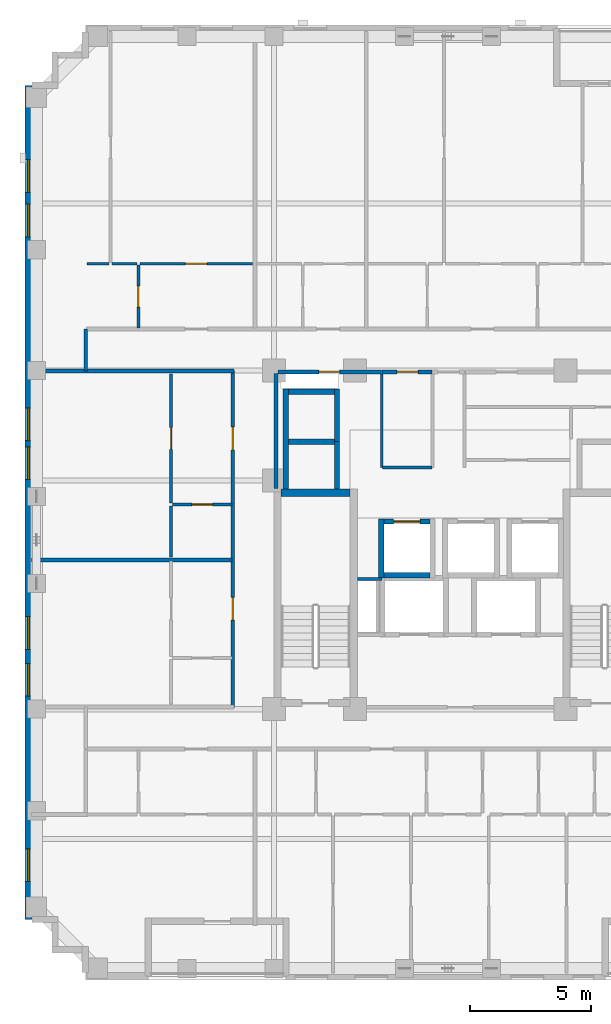
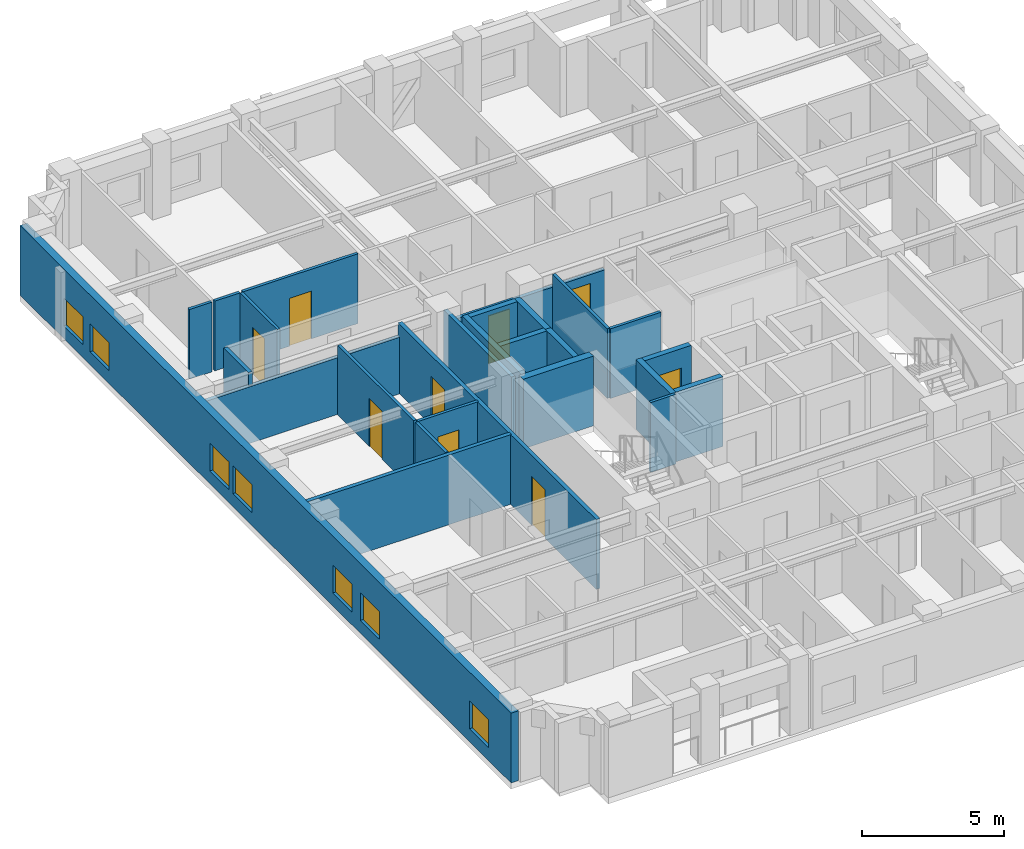
# One storey, part 5 of 11: 27 walls, 9 doors, 7 windows, 16 openings.
"""IFC4 building model written with IfcOpenShell, lengths in metres."""

import ifcopenshell
import ifcopenshell.guid

model = None  # the IFC model being written
_history = None  # IfcOwnerHistory: only IFC2X3 demands one
_inside = {}  # id of a spatial element -> (the spatial element, [elements in it])
_under = {}  # id of a project, library or spatial element -> (it, [spatial elements below it])
_declared = {}  # id of a project -> (the project, [libraries it declares])
_typed = {}  # id of a type object -> (the type object, [elements of that type])
_made_of = {}  # id of a material, layer set ... -> (it, [elements and type objects made of it])


def new_model(schema):
    """Start an empty IFC model of exactly this schema.

    Asked for "IFC4X3", IfcOpenShell would pick the latest addendum, in which some entities
    have other attributes; the version numbers below select the first issue.
    IFC2X3 requires an IfcOwnerHistory on every rooted entity: one is made here for all.
    """
    global model, _history
    if schema == "IFC4X3":
        model = ifcopenshell.file(schema_version=(4, 3, 0, 0))
    else:
        model = ifcopenshell.file(schema=schema)
    _inside.clear()
    _under.clear()
    _declared.clear()
    _typed.clear()
    _made_of.clear()
    _history = None
    if model.schema == "IFC2X3":
        org = make("IfcOrganization", Name="unknown")
        user = make(
            "IfcPersonAndOrganization",
            ThePerson=make("IfcPerson", FamilyName="unknown"),
            TheOrganization=org,
        )
        app = make(
            "IfcApplication",
            ApplicationDeveloper=org,
            Version="unknown",
            ApplicationFullName="unknown",
            ApplicationIdentifier="unknown",
        )
        _history = make(
            "IfcOwnerHistory",
            OwningUser=user,
            OwningApplication=app,
            ChangeAction="ADDED",
            CreationDate=0,
        )
    return model


def make(cls, **values):
    """One entity of the class cls with the attributes given. An attribute that is None is left unset."""
    return model.create_entity(
        cls, **{name: value for name, value in values.items() if value is not None}
    )


def rooted(cls, **values):
    """An entity with a GlobalId (a new one), such as an element, a storey or a relation."""
    return make(cls, GlobalId=ifcopenshell.guid.new(), OwnerHistory=_history, **values)


def si_unit(unit_type, name, prefix=None):
    """IfcSIUnit, for example si_unit("LENGTHUNIT", "METRE", prefix="MILLI")."""
    return make("IfcSIUnit", UnitType=unit_type, Prefix=prefix, Name=name)


def derived_unit(unit_type, elements):
    """IfcDerivedUnit: a product of units, each with its exponent."""
    return make(
        "IfcDerivedUnit",
        Elements=[
            make("IfcDerivedUnitElement", Unit=unit, Exponent=power)
            for unit, power in elements
        ],
        UnitType=unit_type,
    )


def assignment(units):
    """IfcUnitAssignment: the units of a project."""
    return None if units is None else make("IfcUnitAssignment", Units=units)


def point(xyz):
    """IfcCartesianPoint."""
    return None if xyz is None else make("IfcCartesianPoint", Coordinates=xyz)


def direction(xyz):
    """IfcDirection."""
    return None if xyz is None else make("IfcDirection", DirectionRatios=xyz)


def frame(location, z_axis=None, x_axis=None):
    """IfcAxis2Placement3D, a coordinate frame: its origin and axes. An axis left out is left unset."""
    return make(
        "IfcAxis2Placement3D",
        Location=point(location),
        Axis=direction(z_axis),
        RefDirection=direction(x_axis),
    )


def frame_2d(location, x_axis=None):
    """IfcAxis2Placement2D, a coordinate frame in the plane: its origin and x axis."""
    return make(
        "IfcAxis2Placement2D", Location=point(location), RefDirection=direction(x_axis)
    )


def origin():
    """The frame at (0, 0, 0) with its axes left unset."""
    return frame((0.0, 0.0, 0.0))


def place(relative_to, where):
    """IfcLocalPlacement: puts the frame where relative to a parent placement (None: the world)."""
    return make(
        "IfcLocalPlacement", PlacementRelTo=relative_to, RelativePlacement=where
    )


def context(
    kind, dimensions, precision=None, world=None, true_north=None, identifier=None
):
    """IfcGeometricRepresentationContext, for example the 3D "Model" context."""
    return make(
        "IfcGeometricRepresentationContext",
        ContextIdentifier=identifier,
        ContextType=kind,
        CoordinateSpaceDimension=dimensions,
        Precision=precision,
        WorldCoordinateSystem=world,
        TrueNorth=true_north,
    )


def subcontext(parent, identifier, kind, view, scale=None):
    """IfcGeometricRepresentationSubContext, for example "Body" below "Model"."""
    return make(
        "IfcGeometricRepresentationSubContext",
        ContextIdentifier=identifier,
        ContextType=kind,
        ParentContext=parent,
        TargetScale=scale,
        TargetView=view,
    )


def project(units=None, contexts=None):
    """IfcProject with its units and contexts."""
    return rooted(
        "IfcProject",
        Name="project",
        RepresentationContexts=contexts,
        UnitsInContext=assignment(units),
    )


def spatial(cls, under=None, at=None, **own):
    """A site, building, storey or space (cls), placed at a placement, below another one or the project."""
    s = rooted(cls, ObjectPlacement=at, **own)
    if under is not None:
        _under.setdefault(under.id(), (under, []))[1].append(s)
    return s


def profile(cls, at=None, kind="AREA", **sizes):
    """A parametric profile (cls). Its sizes go by their IFC names, for example OverallWidth=200.0."""
    return make(cls, ProfileType=kind, Position=at, **sizes)


def rectangle(**sizes):
    """IfcRectangleProfileDef."""
    return profile("IfcRectangleProfileDef", **sizes)


def extrude(swept, where, along, depth):
    """IfcExtrudedAreaSolid: the profile swept, set in the frame where, extruded along a direction by depth."""
    return make(
        "IfcExtrudedAreaSolid",
        SweptArea=swept,
        Position=where,
        ExtrudedDirection=direction(along),
        Depth=depth,
    )


def shape(context_of_items, identifier, shape_type, items):
    """IfcShapeRepresentation: the items that make up one representation, for example the "Body"."""
    return make(
        "IfcShapeRepresentation",
        ContextOfItems=context_of_items,
        RepresentationIdentifier=identifier,
        RepresentationType=shape_type,
        Items=items,
    )


def material(Name=None, Category=None):
    """IfcMaterial."""
    return make("IfcMaterial", Name=Name, Category=Category)


def layer(
    of_material, thickness, ventilated=None, Name=None, Category=None, Priority=None
):
    """IfcMaterialLayer: one layer of a wall or slab, of a material (None: an air gap)."""
    return make(
        "IfcMaterialLayer",
        Material=of_material,
        LayerThickness=thickness,
        IsVentilated=ventilated,
        Name=Name,
        Category=Category,
        Priority=Priority,
    )


def layer_set(layers, Name=None):
    """IfcMaterialLayerSet."""
    return make("IfcMaterialLayerSet", MaterialLayers=layers, LayerSetName=Name)


def made_of(thing, what):
    """Note that an element or type object is made of a material, layer set ...; save() writes the relation."""
    if what is not None:
        _made_of.setdefault(what.id(), (what, []))[1].append(thing)
    return thing


def type_object(cls, material=None, **own):
    """A type object (cls), such as IfcWallType, which elements share."""
    return made_of(rooted(cls, **own), material)


def element(
    cls,
    number,
    at=None,
    inside=None,
    cuts=None,
    type_object=None,
    material=None,
    context=None,
    identifier="Body",
    shape_type=None,
    held_by="IfcProductDefinitionShape",
    body=None,
    shapes=None,
    **own,
):
    """One element of the class cls, such as IfcWall. Its Tag is "e" and its number.

    at: its placement. inside: the storey or other place that contains it. cuts: it is an
    opening in that element (IfcRelVoidsElement). A single representation is given by context,
    identifier, shape_type and body (its items); several are given by shapes. held_by: the class
    of the entity that holds the representations. save() writes the other relations.
    """
    e = rooted(cls, Tag="e%d" % number, ObjectPlacement=at, **own)
    if body is not None:
        shapes = [shape(context, identifier, shape_type, body)]
    if shapes is not None:
        e.Representation = make(held_by, Representations=shapes)
    if inside is not None:
        _inside.setdefault(inside.id(), (inside, []))[1].append(e)
    if cuts is not None:
        rooted(
            "IfcRelVoidsElement", RelatingBuildingElement=cuts, RelatedOpeningElement=e
        )
    if type_object is not None:
        _typed.setdefault(type_object.id(), (type_object, []))[1].append(e)
    return made_of(e, material)


def fill(opening, filler):
    """IfcRelFillsElement: the door or window that sits in an opening."""
    return rooted(
        "IfcRelFillsElement",
        RelatingOpeningElement=opening,
        RelatedBuildingElement=filler,
    )


def aggregate(whole, parts):
    """IfcRelAggregates: a whole, such as a stair, and the parts it consists of."""
    return rooted("IfcRelAggregates", RelatingObject=whole, RelatedObjects=parts)


def save(model, path):
    """Write the relations noted so far, then the file.

    IfcRelAggregates (storeys below a building ...), IfcRelContainedInSpatialStructure (elements
    in a storey), IfcRelDefinesByType, IfcRelAssociatesMaterial and IfcRelDeclares: one each for
    every whole, place, type object, material and project.
    """
    for whole, parts in _under.values():
        aggregate(whole, parts)
    for where, things in _inside.values():
        rooted(
            "IfcRelContainedInSpatialStructure",
            RelatedElements=things,
            RelatingStructure=where,
        )
    for kind, things in _typed.values():
        rooted("IfcRelDefinesByType", RelatedObjects=things, RelatingType=kind)
    for what, things in _made_of.values():
        rooted("IfcRelAssociatesMaterial", RelatedObjects=things, RelatingMaterial=what)
    for by, libraries in _declared.values():
        rooted("IfcRelDeclares", RelatingContext=by, RelatedDefinitions=libraries)
    model.write(path)


model = new_model("IFC4")

# Units and contexts
model_context = context("Model", 3, precision=1e-05, world=origin(), true_north=direction((0.0, 1.0)))
body_context = subcontext(model_context, "Body", "Model", "MODEL_VIEW")
ifc_project = project(units=[si_unit("LENGTHUNIT", "METRE"), si_unit("AREAUNIT", "SQUARE_METRE"), si_unit("VOLUMEUNIT", "CUBIC_METRE"), si_unit("PLANEANGLEUNIT", "RADIAN"), si_unit("MASSUNIT", "GRAM", prefix="KILO"), derived_unit("THERMALTRANSMITTANCEUNIT", [(si_unit("MASSUNIT", "GRAM", prefix="KILO"), 1), (si_unit("TIMEUNIT", "SECOND"), -3), (si_unit("THERMODYNAMICTEMPERATUREUNIT", "KELVIN"), -1)])], contexts=[model_context])

# Site, building, storey
site_placement = place(None, origin())
site = spatial("IfcSite", under=ifc_project, at=site_placement, CompositionType="ELEMENT")
building_placement = place(site_placement, origin())
building = spatial("IfcBuilding", under=site, at=building_placement, Name="Korrvale Station Residences", CompositionType="ELEMENT")
storey_placement = place(building_placement, frame((0.0, 0.0, 140.64990234375)))
storey = spatial("IfcBuildingStorey", under=building, at=storey_placement, Name="L40", CompositionType="ELEMENT", Elevation=140.64990234375)

# Wall
ifc_material_1 = material(Name="Concrete C60/75", Category="concrete")
ifc_layer_1 = layer(ifc_material_1, 0.300048828125, Name="Concrete C60/75")
ifc_layer_set_1 = layer_set([ifc_layer_1], Name="Concrete C60/75")
wall_type_1 = type_object("IfcWallType", Name="WAL-CORE-300-C60", PredefinedType="SHEAR", material=ifc_layer_set_1)
wall_1_placement = place(storey_placement, frame((18.10009765625, 23.949951171875, 0.0), z_axis=(0.0, 0.0, 1.0), x_axis=(1.0, 0.0, 0.0)))
element("IfcWall", 1, at=wall_1_placement, inside=storey, type_object=wall_type_1, Name="L40 ST-1 Core Shear Wall North", PredefinedType="SHEAR", context=body_context, shape_type="SweptSolid", body=[
    extrude(rectangle(XDim=2.849853515625, YDim=0.300048828125, at=frame_2d((1.4248046875, 0.0))), origin(), (0.0, 0.0, 1.0), 2.989990234375),
])

# Wall, openings, windows
ifc_material_2 = material(Name="Precast concrete C45/55", Category="concrete")
ifc_layer_2 = layer(ifc_material_2, 0.300048828125, Name="Precast concrete C45/55")
ifc_layer_set_2 = layer_set([ifc_layer_2], Name="Precast concrete C45/55")
wall_type_2 = type_object("IfcWallType", Name="WAL-EXT-PC300", PredefinedType="SOLIDWALL", material=ifc_layer_set_2)
wall_2_placement = place(storey_placement, frame((7.64990234375, 6.300048828125, 0.0), z_axis=(0.0, 0.0, 1.0), x_axis=(0.0, 1.0, 0.0)))
wall_2 = element("IfcWall", 2, at=wall_2_placement, inside=storey, type_object=wall_type_2, Name="L40 West Exterior Precast Wall 1", PredefinedType="SOLIDWALL", context=body_context, shape_type="SweptSolid", body=[
    extrude(rectangle(XDim=34.5, YDim=0.300048828125, at=frame_2d((17.25, 0.0))), origin(), (0.0, 0.0, 1.0), 2.989990234375),
])
opening_1_placement = place(wall_2_placement, frame((1.574951171875, 0.0, 0.550048828125)))
opening_1 = element("IfcOpeningElement", 3, at=opening_1_placement, cuts=wall_2, Name="Opening W-10", PredefinedType="OPENING", context=body_context, shape_type="SweptSolid", body=[
    extrude(rectangle(XDim=1.35009765625, YDim=1.199951171875, at=frame_2d((0.675048828125, 0.60009765625))), frame((0.0, 0.16015625, 0.0), z_axis=(0.0, -1.0, 0.0), x_axis=(1.0, 0.0, 0.0)), (0.0, 0.0, 1.0), 0.320068359375),
])
opening_2_placement = place(wall_2_placement, frame((30.074951171875, 0.0, 0.550048828125)))
opening_2 = element("IfcOpeningElement", 4, at=opening_2_placement, cuts=wall_2, Name="Opening W-10", PredefinedType="OPENING", context=body_context, shape_type="SweptSolid", body=[
    extrude(rectangle(XDim=1.35009765625, YDim=1.199951171875, at=frame_2d((0.675048828125, 0.60009765625))), frame((0.0, 0.16015625, 0.0), z_axis=(0.0, -1.0, 0.0), x_axis=(1.0, 0.0, 0.0)), (0.0, 0.0, 1.0), 0.320068359375),
])
opening_3_placement = place(wall_2_placement, frame((28.235107421875, 0.0, 0.550048828125)))
opening_3 = element("IfcOpeningElement", 5, at=opening_3_placement, cuts=wall_2, Name="Opening W-10", PredefinedType="OPENING", context=body_context, shape_type="SweptSolid", body=[
    extrude(rectangle(XDim=1.35009765625, YDim=1.199951171875, at=frame_2d((0.675048828125, 0.60009765625))), frame((0.0, 0.16015625, 0.0), z_axis=(0.0, -1.0, 0.0), x_axis=(1.0, 0.0, 0.0)), (0.0, 0.0, 1.0), 0.320068359375),
])
opening_4_placement = place(wall_2_placement, frame((11.175048828125, 0.0, 0.550048828125)))
opening_4 = element("IfcOpeningElement", 6, at=opening_4_placement, cuts=wall_2, Name="Opening W-10", PredefinedType="OPENING", context=body_context, shape_type="SweptSolid", body=[
    extrude(rectangle(XDim=1.35009765625, YDim=1.199951171875, at=frame_2d((0.675048828125, 0.60009765625))), frame((0.0, 0.16015625, 0.0), z_axis=(0.0, -1.0, 0.0), x_axis=(1.0, 0.0, 0.0)), (0.0, 0.0, 1.0), 0.320068359375),
])
opening_5_placement = place(wall_2_placement, frame((9.235107421875, 0.0, 0.550048828125)))
opening_5 = element("IfcOpeningElement", 7, at=opening_5_placement, cuts=wall_2, Name="Opening W-10", PredefinedType="OPENING", context=body_context, shape_type="SweptSolid", body=[
    extrude(rectangle(XDim=1.35009765625, YDim=1.199951171875, at=frame_2d((0.675048828125, 0.60009765625))), frame((0.0, 0.16015625, 0.0), z_axis=(0.0, -1.0, 0.0), x_axis=(1.0, 0.0, 0.0)), (0.0, 0.0, 1.0), 0.320068359375),
])
opening_6_placement = place(wall_2_placement, frame((18.199951171875, 0.0, 0.550048828125)))
opening_6 = element("IfcOpeningElement", 8, at=opening_6_placement, cuts=wall_2, Name="Opening W-10", PredefinedType="OPENING", context=body_context, shape_type="SweptSolid", body=[
    extrude(rectangle(XDim=1.35009765625, YDim=1.199951171875, at=frame_2d((0.675048828125, 0.60009765625))), frame((0.0, 0.16015625, 0.0), z_axis=(0.0, -1.0, 0.0), x_axis=(1.0, 0.0, 0.0)), (0.0, 0.0, 1.0), 0.320068359375),
])
opening_7_placement = place(wall_2_placement, frame((19.81005859375, 0.0, 0.550048828125)))
opening_7 = element("IfcOpeningElement", 9, at=opening_7_placement, cuts=wall_2, Name="Opening W-10", PredefinedType="OPENING", context=body_context, shape_type="SweptSolid", body=[
    extrude(rectangle(XDim=1.35009765625, YDim=1.199951171875, at=frame_2d((0.675048828125, 0.60009765625))), frame((0.0, 0.16015625, 0.0), z_axis=(0.0, -1.0, 0.0), x_axis=(1.0, 0.0, 0.0)), (0.0, 0.0, 1.0), 0.320068359375),
])
ifc_material_3 = material(Name="Thermally broken aluminium frame with triple low-e glazing", Category="aluminium")
window_type = type_object("IfcWindowType", Name="WIN-W10", PartitioningType="SINGLE_PANEL", PredefinedType="WINDOW", material=ifc_material_3)
window_1_placement = place(opening_1_placement, origin())
window_1 = element("IfcWindow", 10, at=window_1_placement, inside=storey, type_object=window_type, Name="L40 Punched Window 01", OverallHeight=1.199951171875, OverallWidth=1.35009765625, PartitioningType="SINGLE_PANEL", PredefinedType="WINDOW", context=body_context, shape_type="SweptSolid", body=[
    extrude(rectangle(XDim=1.35009765625, YDim=1.199951171875, at=frame_2d((0.675048828125, 0.60009765625))), frame((0.0, 0.030029296875, 0.0), z_axis=(0.0, -1.0, 0.0), x_axis=(1.0, 0.0, 0.0)), (0.0, 0.0, 1.0), 0.06005859375),
])
fill(opening_1, window_1)
window_2_placement = place(opening_2_placement, origin())
window_2 = element("IfcWindow", 11, at=window_2_placement, inside=storey, type_object=window_type, Name="L40 Punched Window 07", OverallHeight=1.199951171875, OverallWidth=1.35009765625, PartitioningType="SINGLE_PANEL", PredefinedType="WINDOW", context=body_context, shape_type="SweptSolid", body=[
    extrude(rectangle(XDim=1.35009765625, YDim=1.199951171875, at=frame_2d((0.675048828125, 0.60009765625))), frame((0.0, 0.030029296875, 0.0), z_axis=(0.0, -1.0, 0.0), x_axis=(1.0, 0.0, 0.0)), (0.0, 0.0, 1.0), 0.06005859375),
])
fill(opening_2, window_2)
window_3_placement = place(opening_3_placement, origin())
window_3 = element("IfcWindow", 12, at=window_3_placement, inside=storey, type_object=window_type, Name="L40 Punched Window 08", OverallHeight=1.199951171875, OverallWidth=1.35009765625, PartitioningType="SINGLE_PANEL", PredefinedType="WINDOW", context=body_context, shape_type="SweptSolid", body=[
    extrude(rectangle(XDim=1.35009765625, YDim=1.199951171875, at=frame_2d((0.675048828125, 0.60009765625))), frame((0.0, 0.030029296875, 0.0), z_axis=(0.0, -1.0, 0.0), x_axis=(1.0, 0.0, 0.0)), (0.0, 0.0, 1.0), 0.06005859375),
])
fill(opening_3, window_3)
window_4_placement = place(opening_4_placement, origin())
window_4 = element("IfcWindow", 13, at=window_4_placement, inside=storey, type_object=window_type, Name="L40 Punched Window 16", OverallHeight=1.199951171875, OverallWidth=1.35009765625, PartitioningType="SINGLE_PANEL", PredefinedType="WINDOW", context=body_context, shape_type="SweptSolid", body=[
    extrude(rectangle(XDim=1.35009765625, YDim=1.199951171875, at=frame_2d((0.675048828125, 0.60009765625))), frame((0.0, 0.030029296875, 0.0), z_axis=(0.0, -1.0, 0.0), x_axis=(1.0, 0.0, 0.0)), (0.0, 0.0, 1.0), 0.06005859375),
])
fill(opening_4, window_4)
window_5_placement = place(opening_5_placement, origin())
window_5 = element("IfcWindow", 14, at=window_5_placement, inside=storey, type_object=window_type, Name="L40 Punched Window 17", OverallHeight=1.199951171875, OverallWidth=1.35009765625, PartitioningType="SINGLE_PANEL", PredefinedType="WINDOW", context=body_context, shape_type="SweptSolid", body=[
    extrude(rectangle(XDim=1.35009765625, YDim=1.199951171875, at=frame_2d((0.675048828125, 0.60009765625))), frame((0.0, 0.030029296875, 0.0), z_axis=(0.0, -1.0, 0.0), x_axis=(1.0, 0.0, 0.0)), (0.0, 0.0, 1.0), 0.06005859375),
])
fill(opening_5, window_5)
window_6_placement = place(opening_6_placement, origin())
window_6 = element("IfcWindow", 15, at=window_6_placement, inside=storey, type_object=window_type, Name="L40 Punched Window 18", OverallHeight=1.199951171875, OverallWidth=1.35009765625, PartitioningType="SINGLE_PANEL", PredefinedType="WINDOW", context=body_context, shape_type="SweptSolid", body=[
    extrude(rectangle(XDim=1.35009765625, YDim=1.199951171875, at=frame_2d((0.675048828125, 0.60009765625))), frame((0.0, 0.030029296875, 0.0), z_axis=(0.0, -1.0, 0.0), x_axis=(1.0, 0.0, 0.0)), (0.0, 0.0, 1.0), 0.06005859375),
])
fill(opening_6, window_6)
window_7_placement = place(opening_7_placement, origin())
window_7 = element("IfcWindow", 16, at=window_7_placement, inside=storey, type_object=window_type, Name="L40 Punched Window 19", OverallHeight=1.199951171875, OverallWidth=1.35009765625, PartitioningType="SINGLE_PANEL", PredefinedType="WINDOW", context=body_context, shape_type="SweptSolid", body=[
    extrude(rectangle(XDim=1.35009765625, YDim=1.199951171875, at=frame_2d((0.675048828125, 0.60009765625))), frame((0.0, 0.030029296875, 0.0), z_axis=(0.0, -1.0, 0.0), x_axis=(1.0, 0.0, 0.0)), (0.0, 0.0, 1.0), 0.06005859375),
])
fill(opening_7, window_7)

# Walls
ifc_material_4 = material(Name="Acoustic steel-stud gypsum board partition", Category="steel")
ifc_layer_3 = layer(ifc_material_4, 0.1201171875, Name="Acoustic steel-stud gypsum board partition")
ifc_layer_set_3 = layer_set([ifc_layer_3], Name="Acoustic steel-stud gypsum board partition")
wall_type_3 = type_object("IfcWallType", Name="WAL-PART-125", PredefinedType="PARTITIONING", material=ifc_layer_set_3)
wall_3_placement = place(storey_placement, frame((22.280029296875, 20.3798828125, 0.0), z_axis=(0.0, 0.0, 1.0), x_axis=(-1.0, 0.0, 0.0)))
element("IfcWall", 17, at=wall_3_placement, inside=storey, type_object=wall_type_3, Name="L40 Core Partition CW-RSWT-N", PredefinedType="PARTITIONING", context=body_context, shape_type="SweptSolid", body=[
    extrude(rectangle(XDim=1.02001953125, YDim=0.1201171875, at=frame_2d((0.510009765625, 0.0))), origin(), (0.0, 0.0, 1.0), 2.989990234375),
])
wall_4_placement = place(storey_placement, frame((22.260009765625, 25.0, 0.0), z_axis=(0.0, 0.0, 1.0), x_axis=(0.0, 1.0, 0.0)))
element("IfcWall", 18, at=wall_4_placement, inside=storey, type_object=wall_type_3, Name="L40 Core Partition CW-FPLW-W", PredefinedType="PARTITIONING", context=body_context, shape_type="SweptSolid", body=[
    extrude(rectangle(XDim=3.860107421875, YDim=0.1201171875, at=frame_2d((1.93017578125, 0.0))), origin(), (0.0, 0.0, 1.0), 2.989990234375),
])
wall_5_placement = place(storey_placement, frame((22.300048828125, 25.0, 0.0), z_axis=(0.0, 0.0, 1.0), x_axis=(1.0, 0.0, 0.0)))
element("IfcWall", 19, at=wall_5_placement, inside=storey, type_object=wall_type_3, Name="L40 Core Partition CW-FPLW-S", PredefinedType="PARTITIONING", context=body_context, shape_type="SweptSolid", body=[
    extrude(rectangle(XDim=2.0400390625, YDim=0.1201171875, at=frame_2d((1.02001953125, 0.0))), origin(), (0.0, 0.0, 1.0), 2.989990234375),
])

# Wall, opening, door
wall_6_placement = place(storey_placement, frame((12.193115234375, 30.760009765625, 0.0), z_axis=(0.0, 0.0, 1.0), x_axis=(0.0, 1.0, 0.0)))
wall_6 = element("IfcWall", 20, at=wall_6_placement, inside=storey, type_object=wall_type_3, Name="L40 Suite Partition U03-V01", PredefinedType="PARTITIONING", context=body_context, shape_type="SweptSolid", body=[
    extrude(rectangle(XDim=2.60009765625, YDim=0.1201171875, at=frame_2d((1.300048828125, 0.0))), origin(), (0.0, 0.0, 1.0), 2.989990234375),
])
opening_8_placement = place(wall_6_placement, frame((0.8701171875, 0.0, 0.0)))
opening_8 = element("IfcOpeningElement", 21, at=opening_8_placement, cuts=wall_6, Name="Opening DB-860", PredefinedType="OPENING", context=body_context, shape_type="SweptSolid", body=[
    extrude(rectangle(XDim=0.860107421875, YDim=2.050048828125, at=frame_2d((0.43017578125, 1.02490234375))), frame((0.0, 0.070068359375, 0.0), z_axis=(0.0, -1.0, 0.0), x_axis=(1.0, 0.0, 0.0)), (0.0, 0.0, 1.0), 0.14013671875),
])
ifc_material_5 = material(Name="Moisture-resistant solid-core bathroom door", Category="timber")
door_type_1 = type_object("IfcDoorType", Name="DR-BATH-860", OperationType="NOTDEFINED", PredefinedType="DOOR", material=ifc_material_5)
door_1_placement = place(opening_8_placement, origin())
door_1 = element("IfcDoor", 22, at=door_1_placement, inside=storey, type_object=door_type_1, Name="L40 Studio Apartment L40-U03 Bathroom Door", OperationType="SINGLE_SWING_RIGHT", OverallHeight=2.050048828125, OverallWidth=0.860107421875, PredefinedType="DOOR", context=body_context, shape_type="SweptSolid", body=[
    extrude(rectangle(XDim=0.860107421875, YDim=2.050048828125, at=frame_2d((0.43017578125, 1.02490234375))), frame((0.0, 0.02490234375, 0.0), z_axis=(0.0, -1.0, 0.0), x_axis=(1.0, 0.0, 0.0)), (0.0, 0.0, 1.0), 0.050048828125),
])
fill(opening_8, door_1)

# Walls
wall_7_placement = place(storey_placement, frame((10.080078125, 33.419921875, 0.0), z_axis=(0.0, 0.0, 1.0), x_axis=(1.0, 0.0, 0.0)))
element("IfcWall", 23, at=wall_7_placement, inside=storey, type_object=wall_type_3, Name="L40 Suite Partition U03-H02", PredefinedType="PARTITIONING", context=body_context, shape_type="SweptSolid", body=[
    extrude(rectangle(XDim=0.909912109375, YDim=0.1201171875, at=frame_2d((0.455078125, 0.0))), origin(), (0.0, 0.0, 1.0), 2.989990234375),
])
wall_8_placement = place(storey_placement, frame((11.110107421875, 33.419921875, 0.0), z_axis=(0.0, 0.0, 1.0), x_axis=(1.0, 0.0, 0.0)))
element("IfcWall", 24, at=wall_8_placement, inside=storey, type_object=wall_type_3, Name="L40 Suite Partition U03-H03", PredefinedType="PARTITIONING", context=body_context, shape_type="SweptSolid", body=[
    extrude(rectangle(XDim=1.02294921875, YDim=0.1201171875, at=frame_2d((0.511474609375, 0.0))), origin(), (0.0, 0.0, 1.0), 2.989990234375),
])

# Wall, opening, door
wall_9_placement = place(storey_placement, frame((12.2529296875, 33.419921875, 0.0), z_axis=(0.0, 0.0, 1.0), x_axis=(1.0, 0.0, 0.0)))
wall_9 = element("IfcWall", 25, at=wall_9_placement, inside=storey, type_object=wall_type_3, Name="L40 Suite Partition U03-H13", PredefinedType="PARTITIONING", context=body_context, shape_type="SweptSolid", body=[
    extrude(rectangle(XDim=4.671142578125, YDim=0.1201171875, at=frame_2d((2.33544921875, 0.0))), origin(), (0.0, 0.0, 1.0), 2.989990234375),
])
opening_9_placement = place(wall_9_placement, frame((1.885009765625, 0.0, 0.0)))
opening_9 = element("IfcOpeningElement", 26, at=opening_9_placement, cuts=wall_9, Name="Opening DI-900", PredefinedType="OPENING", context=body_context, shape_type="SweptSolid", body=[
    extrude(rectangle(XDim=0.89990234375, YDim=2.050048828125, at=frame_2d((0.449951171875, 1.02490234375))), frame((0.0, 0.070068359375, 0.0), z_axis=(0.0, -1.0, 0.0), x_axis=(1.0, 0.0, 0.0)), (0.0, 0.0, 1.0), 0.14013671875),
])
ifc_material_6 = material(Name="Painted solid-core timber interior room door", Category="wood")
door_type_2 = type_object("IfcDoorType", Name="DR-INT-900", OperationType="NOTDEFINED", PredefinedType="DOOR", material=ifc_material_6)
door_2_placement = place(opening_9_placement, origin())
door_2 = element("IfcDoor", 27, at=door_2_placement, inside=storey, type_object=door_type_2, Name="L40 Studio Apartment L40-U03 Kitchen Door", OperationType="SINGLE_SWING_LEFT", OverallHeight=2.050048828125, OverallWidth=0.89990234375, PredefinedType="DOOR", context=body_context, shape_type="SweptSolid", body=[
    extrude(rectangle(XDim=0.89990234375, YDim=2.050048828125, at=frame_2d((0.449951171875, 1.02490234375))), frame((0.0, 0.02490234375, 0.0), z_axis=(0.0, -1.0, 0.0), x_axis=(1.0, 0.0, 0.0)), (0.0, 0.0, 1.0), 0.050048828125),
])
fill(opening_9, door_2)

wall_10_placement = place(storey_placement, frame((13.610107421875, 23.467041015625, 0.0), z_axis=(0.0, 0.0, 1.0), x_axis=(1.0, 0.0, 0.0)))
wall_10 = element("IfcWall", 28, at=wall_10_placement, inside=storey, type_object=wall_type_3, Name="L40 Suite Partition U08-H01", PredefinedType="PARTITIONING", context=body_context, shape_type="SweptSolid", body=[
    extrude(rectangle(XDim=2.449951171875, YDim=0.1201171875, at=frame_2d((1.22509765625, 0.0))), origin(), (0.0, 0.0, 1.0), 2.989990234375),
])
opening_10_placement = place(wall_10_placement, frame((0.794921875, 0.0, 0.0)))
opening_10 = element("IfcOpeningElement", 29, at=opening_10_placement, cuts=wall_10, Name="Opening DB-860", PredefinedType="OPENING", context=body_context, shape_type="SweptSolid", body=[
    extrude(rectangle(XDim=0.860107421875, YDim=2.050048828125, at=frame_2d((0.43017578125, 1.02490234375))), frame((0.0, 0.070068359375, 0.0), z_axis=(0.0, -1.0, 0.0), x_axis=(1.0, 0.0, 0.0)), (0.0, 0.0, 1.0), 0.14013671875),
])
door_3_placement = place(opening_10_placement, origin())
door_3 = element("IfcDoor", 30, at=door_3_placement, inside=storey, type_object=door_type_1, Name="L40 Apartment 1BR L40-U08 Bathroom Door", OperationType="SINGLE_SWING_RIGHT", OverallHeight=2.050048828125, OverallWidth=0.860107421875, PredefinedType="DOOR", context=body_context, shape_type="SweptSolid", body=[
    extrude(rectangle(XDim=0.860107421875, YDim=2.050048828125, at=frame_2d((0.43017578125, 1.02490234375))), frame((0.0, 0.02490234375, 0.0), z_axis=(0.0, -1.0, 0.0), x_axis=(1.0, 0.0, 0.0)), (0.0, 0.0, 1.0), 0.050048828125),
])
fill(opening_10, door_3)

# Wall
wall_11_placement = place(storey_placement, frame((13.550048828125, 21.285888671875, 0.0), z_axis=(0.0, 0.0, 1.0), x_axis=(0.0, 1.0, 0.0)))
element("IfcWall", 31, at=wall_11_placement, inside=storey, type_object=wall_type_3, Name="L40 Suite Partition U08-V02", PredefinedType="PARTITIONING", context=body_context, shape_type="SweptSolid", body=[
    extrude(rectangle(XDim=2.12109375, YDim=0.1201171875, at=frame_2d((1.060546875, 0.0))), origin(), (0.0, 0.0, 1.0), 2.989990234375),
])

# Wall, opening, door
wall_12_placement = place(storey_placement, frame((13.550048828125, 23.527099609375, 0.0), z_axis=(0.0, 0.0, 1.0), x_axis=(0.0, 1.0, 0.0)))
wall_12 = element("IfcWall", 32, at=wall_12_placement, inside=storey, type_object=wall_type_3, Name="L40 Suite Partition U08-V12", PredefinedType="PARTITIONING", context=body_context, shape_type="SweptSolid", body=[
    extrude(rectangle(XDim=5.3330078125, YDim=0.1201171875, at=frame_2d((2.66650390625, 0.0))), origin(), (0.0, 0.0, 1.0), 2.989990234375),
])
opening_11_placement = place(wall_12_placement, frame((2.216064453125, 0.0, 0.0)))
opening_11 = element("IfcOpeningElement", 33, at=opening_11_placement, cuts=wall_12, Name="Opening DI-900", PredefinedType="OPENING", context=body_context, shape_type="SweptSolid", body=[
    extrude(rectangle(XDim=0.89990234375, YDim=2.050048828125, at=frame_2d((0.449951171875, 1.02490234375))), frame((0.0, 0.070068359375, 0.0), z_axis=(0.0, -1.0, 0.0), x_axis=(1.0, 0.0, 0.0)), (0.0, 0.0, 1.0), 0.14013671875),
])
door_4_placement = place(opening_11_placement, origin())
door_4 = element("IfcDoor", 34, at=door_4_placement, inside=storey, type_object=door_type_2, Name="L40 Apartment 1BR L40-U08 Kitchen Door", OperationType="SINGLE_SWING_LEFT", OverallHeight=2.050048828125, OverallWidth=0.89990234375, PredefinedType="DOOR", context=body_context, shape_type="SweptSolid", body=[
    extrude(rectangle(XDim=0.89990234375, YDim=2.050048828125, at=frame_2d((0.449951171875, 1.02490234375))), frame((0.0, 0.02490234375, 0.0), z_axis=(0.0, -1.0, 0.0), x_axis=(1.0, 0.0, 0.0)), (0.0, 0.0, 1.0), 0.050048828125),
])
fill(opening_11, door_4)

# Wall
ifc_material_7 = material(Name="Fire-rated twin-stud gypsum and mineral wool shaftwall assembly", Category="gypsum")
ifc_layer_4 = layer(ifc_material_7, 0.159912109375, Name="Fire-rated twin-stud gypsum and mineral wool shaftwall assembly")
ifc_layer_set_4 = layer_set([ifc_layer_4], Name="Fire-rated twin-stud gypsum and mineral wool shaftwall assembly")
wall_type_4 = type_object("IfcWallType", Name="WAL-PART-200", PredefinedType="PARTITIONING", material=ifc_layer_set_4)
wall_13_placement = place(storey_placement, frame((17.8798828125, 24.1201171875, 0.0), z_axis=(0.0, 0.0, 1.0), x_axis=(0.0, 1.0, 0.0)))
element("IfcWall", 35, at=wall_13_placement, inside=storey, type_object=wall_type_4, Name="L40 Core Partition CW-W-N", PredefinedType="PARTITIONING", context=body_context, shape_type="SweptSolid", body=[
    extrude(rectangle(XDim=4.759765625, YDim=0.159912109375, at=frame_2d((2.3798828125, 0.0))), origin(), (0.0, 0.0, 1.0), 2.989990234375),
])

# Wall, opening, door
wall_14_placement = place(storey_placement, frame((17.9599609375, 28.949951171875, 0.0), z_axis=(0.0, 0.0, 1.0), x_axis=(1.0, 0.0, 0.0)))
wall_14 = element("IfcWall", 36, at=wall_14_placement, inside=storey, type_object=wall_type_4, Name="L40 Core Partition CW-NW", PredefinedType="PARTITIONING", context=body_context, shape_type="SweptSolid", body=[
    extrude(rectangle(XDim=4.2900390625, YDim=0.159912109375, at=frame_2d((2.14501953125, 0.0))), origin(), (0.0, 0.0, 1.0), 2.426025390625),
])
opening_12_placement = place(wall_14_placement, frame((1.695068359375, 0.0, 0.0)))
opening_12 = element("IfcOpeningElement", 37, at=opening_12_placement, cuts=wall_14, Name="Opening DB-860", PredefinedType="OPENING", context=body_context, shape_type="SweptSolid", body=[
    extrude(rectangle(XDim=0.860107421875, YDim=2.050048828125, at=frame_2d((0.43017578125, 1.02490234375))), frame((0.0, 0.08984375, 0.0), z_axis=(0.0, -1.0, 0.0), x_axis=(1.0, 0.0, 0.0)), (0.0, 0.0, 1.0), 0.179931640625),
])
door_5_placement = place(opening_12_placement, origin())
door_5 = element("IfcDoor", 38, at=door_5_placement, inside=storey, type_object=door_type_1, Name="L40 Electrical Riser Access Door", OperationType="SINGLE_SWING_LEFT", OverallHeight=2.050048828125, OverallWidth=0.860107421875, PredefinedType="DOOR", context=body_context, shape_type="SweptSolid", body=[
    extrude(rectangle(XDim=0.860107421875, YDim=2.050048828125, at=frame_2d((0.43017578125, 1.02490234375))), frame((0.0, 0.02490234375, 0.0), z_axis=(0.0, -1.0, 0.0), x_axis=(1.0, 0.0, 0.0)), (0.0, 0.0, 1.0), 0.050048828125),
])
fill(opening_12, door_5)

wall_15_placement = place(storey_placement, frame((22.280029296875, 28.949951171875, 0.0), z_axis=(0.0, 0.0, 1.0), x_axis=(1.0, 0.0, 0.0)))
wall_15 = element("IfcWall", 39, at=wall_15_placement, inside=storey, type_object=wall_type_4, Name="L40 Core Partition CW-FPLW-N", PredefinedType="PARTITIONING", context=body_context, shape_type="SweptSolid", body=[
    extrude(rectangle(XDim=2.06005859375, YDim=0.159912109375, at=frame_2d((1.030029296875, 0.0))), origin(), (0.0, 0.0, 1.0), 2.426025390625),
])
opening_13_placement = place(wall_15_placement, frame((0.6201171875, 0.0, 0.0)))
opening_13 = element("IfcOpeningElement", 40, at=opening_13_placement, cuts=wall_15, Name="Opening DB-860", PredefinedType="OPENING", context=body_context, shape_type="SweptSolid", body=[
    extrude(rectangle(XDim=0.860107421875, YDim=2.050048828125, at=frame_2d((0.43017578125, 1.02490234375))), frame((0.0, 0.08984375, 0.0), z_axis=(0.0, -1.0, 0.0), x_axis=(1.0, 0.0, 0.0)), (0.0, 0.0, 1.0), 0.179931640625),
])
door_6_placement = place(opening_13_placement, origin())
door_6 = element("IfcDoor", 41, at=door_6_placement, inside=storey, type_object=door_type_1, Name="L40 Resident Parcel Room Door", OperationType="SINGLE_SWING_LEFT", OverallHeight=2.050048828125, OverallWidth=0.860107421875, PredefinedType="DOOR", context=body_context, shape_type="SweptSolid", body=[
    extrude(rectangle(XDim=0.860107421875, YDim=2.050048828125, at=frame_2d((0.43017578125, 1.02490234375))), frame((0.0, 0.02490234375, 0.0), z_axis=(0.0, -1.0, 0.0), x_axis=(1.0, 0.0, 0.0)), (0.0, 0.0, 1.0), 0.050048828125),
])
fill(opening_13, door_6)

# Walls
wall_16_placement = place(storey_placement, frame((10.02001953125, 28.97998046875, 0.0), z_axis=(0.0, 0.0, 1.0), x_axis=(0.0, 1.0, 0.0)))
element("IfcWall", 42, at=wall_16_placement, inside=storey, type_object=wall_type_4, Name="L40 Corridor North West Cap", PredefinedType="PARTITIONING", context=body_context, shape_type="SweptSolid", body=[
    extrude(rectangle(XDim=1.739990234375, YDim=0.159912109375, at=frame_2d((0.8701171875, 0.0))), origin(), (0.0, 0.0, 1.0), 2.989990234375),
])
wall_17_placement = place(storey_placement, frame((7.780029296875, 28.97998046875, 0.0), z_axis=(0.0, 0.0, 1.0), x_axis=(1.0, 0.0, 0.0)))
element("IfcWall", 43, at=wall_17_placement, inside=storey, type_object=wall_type_4, Name="L40 West Wing North Corridor Wall", PredefinedType="PARTITIONING", context=body_context, shape_type="SweptSolid", body=[
    extrude(rectangle(XDim=8.35986328125, YDim=0.159912109375, at=frame_2d((4.179931640625, 0.0))), origin(), (0.0, 0.0, 1.0), 2.426025390625),
])
wall_18_placement = place(storey_placement, frame((7.780029296875, 21.166015625, 0.0), z_axis=(0.0, 0.0, 1.0), x_axis=(1.0, 0.0, 0.0)))
element("IfcWall", 44, at=wall_18_placement, inside=storey, type_object=wall_type_4, Name="L40 Demising Wall U07-N", PredefinedType="PARTITIONING", context=body_context, shape_type="SweptSolid", body=[
    extrude(rectangle(XDim=8.280029296875, YDim=0.159912109375, at=frame_2d((4.14013671875, 0.0))), origin(), (0.0, 0.0, 1.0), 2.989990234375),
])

# Wall, openings, doors
wall_19_placement = place(storey_placement, frame((16.10009765625, 15.070068359375, 0.0), z_axis=(0.0, 0.0, 1.0), x_axis=(0.0, 1.0, 0.0)))
wall_19 = element("IfcWall", 45, at=wall_19_placement, inside=storey, type_object=wall_type_4, Name="L40 Rated Corridor Wall W", PredefinedType="PARTITIONING", context=body_context, shape_type="SweptSolid", body=[
    extrude(rectangle(XDim=13.929931640625, YDim=0.159912109375, at=frame_2d((6.96484375, 0.0))), origin(), (0.0, 0.0, 1.0), 2.989990234375),
])
opening_14_placement = place(wall_19_placement, frame((3.60791015625, 0.0, 0.0)))
opening_14 = element("IfcOpeningElement", 46, at=opening_14_placement, cuts=wall_19, Name="Opening UD-950", PredefinedType="OPENING", context=body_context, shape_type="SweptSolid", body=[
    extrude(rectangle(XDim=0.949951171875, YDim=2.10009765625, at=frame_2d((0.47509765625, 1.050048828125))), frame((0.0, 0.08984375, 0.0), z_axis=(0.0, -1.0, 0.0), x_axis=(1.0, 0.0, 0.0)), (0.0, 0.0, 1.0), 0.179931640625),
])
opening_15_placement = place(wall_19_placement, frame((10.64892578125, 0.0, 0.0)))
opening_15 = element("IfcOpeningElement", 47, at=opening_15_placement, cuts=wall_19, Name="Opening UD-950", PredefinedType="OPENING", context=body_context, shape_type="SweptSolid", body=[
    extrude(rectangle(XDim=0.949951171875, YDim=2.10009765625, at=frame_2d((0.47509765625, 1.050048828125))), frame((0.0, 0.08984375, 0.0), z_axis=(0.0, -1.0, 0.0), x_axis=(1.0, 0.0, 0.0)), (0.0, 0.0, 1.0), 0.179931640625),
])
ifc_material_8 = material(Name="Solid-core acoustic oak apartment entrance door", Category="timber")
door_type_3 = type_object("IfcDoorType", Name="DR-UNIT-950", OperationType="NOTDEFINED", PredefinedType="DOOR", material=ifc_material_8)
door_7_placement = place(opening_14_placement, origin())
door_7 = element("IfcDoor", 48, at=door_7_placement, inside=storey, type_object=door_type_3, Name="L40 Apartment L40-U07 Entrance Door", OperationType="SINGLE_SWING_LEFT", OverallHeight=2.10009765625, OverallWidth=0.949951171875, PredefinedType="DOOR", context=body_context, shape_type="SweptSolid", body=[
    extrude(rectangle(XDim=0.949951171875, YDim=2.10009765625, at=frame_2d((0.47509765625, 1.050048828125))), frame((0.0, 0.02490234375, 0.0), z_axis=(0.0, -1.0, 0.0), x_axis=(1.0, 0.0, 0.0)), (0.0, 0.0, 1.0), 0.050048828125),
])
fill(opening_14, door_7)
door_8_placement = place(opening_15_placement, origin())
door_8 = element("IfcDoor", 49, at=door_8_placement, inside=storey, type_object=door_type_3, Name="L40 Apartment L40-U08 Entrance Door", OperationType="SINGLE_SWING_RIGHT", OverallHeight=2.10009765625, OverallWidth=0.949951171875, PredefinedType="DOOR", context=body_context, shape_type="SweptSolid", body=[
    extrude(rectangle(XDim=0.949951171875, YDim=2.10009765625, at=frame_2d((0.47509765625, 1.050048828125))), frame((0.0, 0.02490234375, 0.0), z_axis=(0.0, -1.0, 0.0), x_axis=(1.0, 0.0, 0.0)), (0.0, 0.0, 1.0), 0.050048828125),
])
fill(opening_15, door_8)

# Wall
ifc_layer_5 = layer(ifc_material_1, 0.219970703125, Name="Concrete C60/75")
ifc_layer_set_5 = layer_set([ifc_layer_5], Name="Concrete C60/75")
wall_type_5 = type_object("IfcWallType", Name="WAL-SHAFT-220-C60", PredefinedType="SHEAR", material=ifc_layer_set_5)
wall_20_placement = place(storey_placement, frame((22.35009765625, 20.5400390625, 0.0), z_axis=(0.0, 0.0, 1.0), x_axis=(1.0, 0.0, 0.0)))
element("IfcWall", 50, at=wall_20_placement, inside=storey, type_object=wall_type_5, Name="L40 Elevator PM-1 Hoistway Wall South", PredefinedType="SHEAR", context=body_context, shape_type="SweptSolid", body=[
    extrude(rectangle(XDim=1.89990234375, YDim=0.219970703125, at=frame_2d((0.949951171875, 0.0))), origin(), (0.0, 0.0, 1.0), 2.989990234375),
])

# Wall, opening, door
wall_21_placement = place(storey_placement, frame((22.35009765625, 22.760009765625, 0.0), z_axis=(0.0, 0.0, 1.0), x_axis=(1.0, 0.0, 0.0)))
wall_21 = element("IfcWall", 51, at=wall_21_placement, inside=storey, type_object=wall_type_5, Name="L40 Elevator PM-1 Hoistway Wall North", PredefinedType="SHEAR", context=body_context, shape_type="SweptSolid", body=[
    extrude(rectangle(XDim=1.89990234375, YDim=0.219970703125, at=frame_2d((0.949951171875, 0.0))), origin(), (0.0, 0.0, 1.0), 2.989990234375),
])
opening_16_placement = place(wall_21_placement, frame((0.39990234375, 0.0, 0.0)))
opening_16 = element("IfcOpeningElement", 52, at=opening_16_placement, cuts=wall_21, Name="Opening LD-1100", PredefinedType="OPENING", context=body_context, shape_type="SweptSolid", body=[
    extrude(rectangle(XDim=1.10009765625, YDim=2.14990234375, at=frame_2d((0.550048828125, 1.074951171875))), frame((0.0, 0.1201171875, 0.0), z_axis=(0.0, -1.0, 0.0), x_axis=(1.0, 0.0, 0.0)), (0.0, 0.0, 1.0), 0.239990234375),
])
ifc_material_9 = material(Name="Brushed stainless-steel elevator landing sliding door", Category="steel")
door_type_4 = type_object("IfcDoorType", Name="DR-LIFT-1100", OperationType="SLIDING_TO_LEFT", PredefinedType="DOOR", material=ifc_material_9)
door_9_placement = place(opening_16_placement, origin())
door_9 = element("IfcDoor", 53, at=door_9_placement, inside=storey, type_object=door_type_4, Name="L40 Elevator PM-1 Sliding Landing Door", OperationType="SLIDING_TO_LEFT", OverallHeight=2.14990234375, OverallWidth=1.10009765625, PredefinedType="DOOR", context=body_context, shape_type="SweptSolid", body=[
    extrude(rectangle(XDim=1.10009765625, YDim=2.14990234375, at=frame_2d((0.550048828125, 1.074951171875))), frame((0.0, 0.02490234375, 0.0), z_axis=(0.0, -1.0, 0.0), x_axis=(1.0, 0.0, 0.0)), (0.0, 0.0, 1.0), 0.050048828125),
])
fill(opening_16, door_9)

# Walls
wall_22_placement = place(storey_placement, frame((22.239990234375, 20.429931640625, 0.0), z_axis=(0.0, 0.0, 1.0), x_axis=(0.0, 1.0, 0.0)))
element("IfcWall", 54, at=wall_22_placement, inside=storey, type_object=wall_type_5, Name="L40 Elevator PM-1 Hoistway Wall West", PredefinedType="SHEAR", context=body_context, shape_type="SweptSolid", body=[
    extrude(rectangle(XDim=2.440185546875, YDim=0.219970703125, at=frame_2d((1.22021484375, 0.0))), origin(), (0.0, 0.0, 1.0), 2.989990234375),
])
wall_23_placement = place(storey_placement, frame((18.2900390625, 24.10009765625, 0.0), z_axis=(0.0, 0.0, 1.0), x_axis=(0.0, 1.0, 0.0)))
element("IfcWall", 55, at=wall_23_placement, inside=storey, type_object=wall_type_5, Name="L40 Elevator PH-1 Hoistway Wall West", PredefinedType="SHEAR", context=body_context, shape_type="SweptSolid", body=[
    extrude(rectangle(XDim=4.139892578125, YDim=0.219970703125, at=frame_2d((2.06982421875, 0.0))), origin(), (0.0, 0.0, 1.0), 2.989990234375),
])
wall_24_placement = place(storey_placement, frame((20.409912109375, 24.10009765625, 0.0), z_axis=(0.0, 0.0, 1.0), x_axis=(0.0, 1.0, 0.0)))
element("IfcWall", 56, at=wall_24_placement, inside=storey, type_object=wall_type_5, Name="L40 Elevator PH-1 Hoistway Wall East", PredefinedType="SHEAR", context=body_context, shape_type="SweptSolid", body=[
    extrude(rectangle(XDim=1.9599609375, YDim=0.219970703125, at=frame_2d((0.97998046875, 0.0))), origin(), (0.0, 0.0, 1.0), 2.989990234375),
])
for number, where, z_axis, x_axis, name in (
    (57, (18.39990234375, 26.06005859375, 0.0), (0.0, 0.0, 1.0), (1.0, 0.0, 0.0), "L40 Elevator PH-2 Hoistway Wall South"),
    (58, (18.39990234375, 28.1298828125, 0.0), (0.0, 0.0, 1.0), (1.0, 0.0, 0.0), "L40 Elevator PH-2 Hoistway Wall North"),
):
    element("IfcWall", number, at=place(storey_placement, frame(where, z_axis=z_axis, x_axis=x_axis)), inside=storey, type_object=wall_type_5, Name=name, PredefinedType="SHEAR", context=body_context, shape_type="SweptSolid", body=[
        extrude(rectangle(XDim=1.900146484375, YDim=0.219970703125, at=frame_2d((0.9501953125, 0.0))), origin(), (0.0, 0.0, 1.0), 2.989990234375),
    ])
wall_25_placement = place(storey_placement, frame((20.409912109375, 26.06005859375, 0.0), z_axis=(0.0, 0.0, 1.0), x_axis=(0.0, 1.0, 0.0)))
element("IfcWall", 59, at=wall_25_placement, inside=storey, type_object=wall_type_5, Name="L40 Elevator PH-2 Hoistway Wall East", PredefinedType="SHEAR", context=body_context, shape_type="SweptSolid", body=[
    extrude(rectangle(XDim=2.179931640625, YDim=0.219970703125, at=frame_2d((1.08984375, 0.0))), origin(), (0.0, 0.0, 1.0), 2.989990234375),
])

save(model, "model.ifc")
